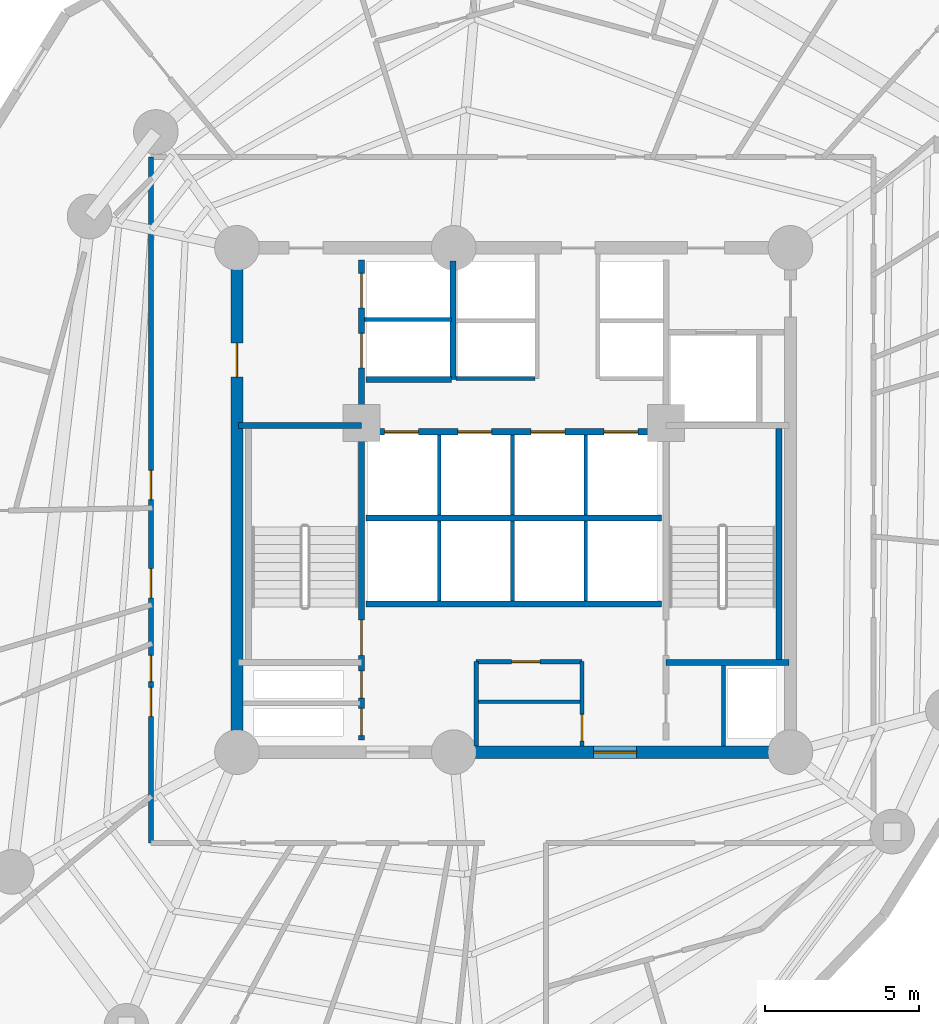
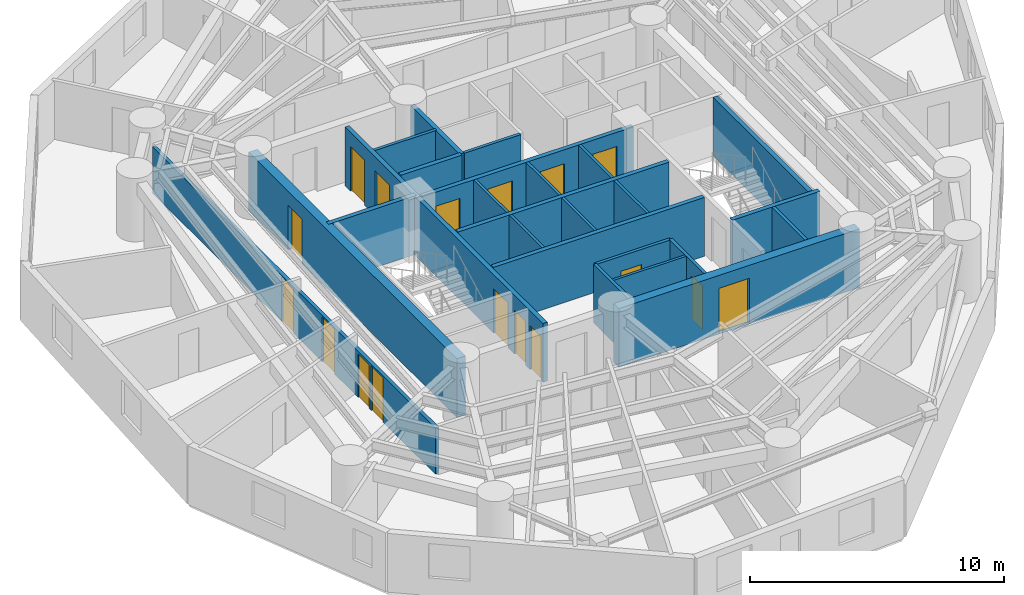
# One storey, part 4 of 8: 25 walls, 17 doors, 17 openings.
"""IFC4 building model written with IfcOpenShell, lengths in metres."""

import ifcopenshell
import ifcopenshell.guid

model = None  # the IFC model being written
_history = None  # IfcOwnerHistory: only IFC2X3 demands one
_inside = {}  # id of a spatial element -> (the spatial element, [elements in it])
_under = {}  # id of a project, library or spatial element -> (it, [spatial elements below it])
_declared = {}  # id of a project -> (the project, [libraries it declares])
_typed = {}  # id of a type object -> (the type object, [elements of that type])
_made_of = {}  # id of a material, layer set ... -> (it, [elements and type objects made of it])


def new_model(schema):
    """Start an empty IFC model of exactly this schema.

    Asked for "IFC4X3", IfcOpenShell would pick the latest addendum, in which some entities
    have other attributes; the version numbers below select the first issue.
    IFC2X3 requires an IfcOwnerHistory on every rooted entity: one is made here for all.
    """
    global model, _history
    if schema == "IFC4X3":
        model = ifcopenshell.file(schema_version=(4, 3, 0, 0))
    else:
        model = ifcopenshell.file(schema=schema)
    _inside.clear()
    _under.clear()
    _declared.clear()
    _typed.clear()
    _made_of.clear()
    _history = None
    if model.schema == "IFC2X3":
        org = make("IfcOrganization", Name="unknown")
        user = make(
            "IfcPersonAndOrganization",
            ThePerson=make("IfcPerson", FamilyName="unknown"),
            TheOrganization=org,
        )
        app = make(
            "IfcApplication",
            ApplicationDeveloper=org,
            Version="unknown",
            ApplicationFullName="unknown",
            ApplicationIdentifier="unknown",
        )
        _history = make(
            "IfcOwnerHistory",
            OwningUser=user,
            OwningApplication=app,
            ChangeAction="ADDED",
            CreationDate=0,
        )
    return model


def make(cls, **values):
    """One entity of the class cls with the attributes given. An attribute that is None is left unset."""
    return model.create_entity(
        cls, **{name: value for name, value in values.items() if value is not None}
    )


def rooted(cls, **values):
    """An entity with a GlobalId (a new one), such as an element, a storey or a relation."""
    return make(cls, GlobalId=ifcopenshell.guid.new(), OwnerHistory=_history, **values)


def si_unit(unit_type, name, prefix=None):
    """IfcSIUnit, for example si_unit("LENGTHUNIT", "METRE", prefix="MILLI")."""
    return make("IfcSIUnit", UnitType=unit_type, Prefix=prefix, Name=name)


def assignment(units):
    """IfcUnitAssignment: the units of a project."""
    return None if units is None else make("IfcUnitAssignment", Units=units)


def point(xyz):
    """IfcCartesianPoint."""
    return None if xyz is None else make("IfcCartesianPoint", Coordinates=xyz)


def direction(xyz):
    """IfcDirection."""
    return None if xyz is None else make("IfcDirection", DirectionRatios=xyz)


def frame(location, z_axis=None, x_axis=None):
    """IfcAxis2Placement3D, a coordinate frame: its origin and axes. An axis left out is left unset."""
    return make(
        "IfcAxis2Placement3D",
        Location=point(location),
        Axis=direction(z_axis),
        RefDirection=direction(x_axis),
    )


def frame_2d(location, x_axis=None):
    """IfcAxis2Placement2D, a coordinate frame in the plane: its origin and x axis."""
    return make(
        "IfcAxis2Placement2D", Location=point(location), RefDirection=direction(x_axis)
    )


def origin():
    """The frame at (0, 0, 0) with its axes left unset."""
    return frame((0.0, 0.0, 0.0))


def origin_with_axes():
    """The frame at (0, 0, 0) with the z axis (0, 0, 1) and the x axis (1, 0, 0) written out."""
    return frame((0.0, 0.0, 0.0), z_axis=(0.0, 0.0, 1.0), x_axis=(1.0, 0.0, 0.0))


def place(relative_to, where):
    """IfcLocalPlacement: puts the frame where relative to a parent placement (None: the world)."""
    return make(
        "IfcLocalPlacement", PlacementRelTo=relative_to, RelativePlacement=where
    )


def context(
    kind, dimensions, precision=None, world=None, true_north=None, identifier=None
):
    """IfcGeometricRepresentationContext, for example the 3D "Model" context."""
    return make(
        "IfcGeometricRepresentationContext",
        ContextIdentifier=identifier,
        ContextType=kind,
        CoordinateSpaceDimension=dimensions,
        Precision=precision,
        WorldCoordinateSystem=world,
        TrueNorth=true_north,
    )


def subcontext(parent, identifier, kind, view, scale=None):
    """IfcGeometricRepresentationSubContext, for example "Body" below "Model"."""
    return make(
        "IfcGeometricRepresentationSubContext",
        ContextIdentifier=identifier,
        ContextType=kind,
        ParentContext=parent,
        TargetScale=scale,
        TargetView=view,
    )


def project(units=None, contexts=None):
    """IfcProject with its units and contexts."""
    return rooted(
        "IfcProject",
        Name="project",
        RepresentationContexts=contexts,
        UnitsInContext=assignment(units),
    )


def spatial(cls, under=None, at=None, **own):
    """A site, building, storey or space (cls), placed at a placement, below another one or the project."""
    s = rooted(cls, ObjectPlacement=at, **own)
    if under is not None:
        _under.setdefault(under.id(), (under, []))[1].append(s)
    return s


def profile(cls, at=None, kind="AREA", **sizes):
    """A parametric profile (cls). Its sizes go by their IFC names, for example OverallWidth=200.0."""
    return make(cls, ProfileType=kind, Position=at, **sizes)


def rectangle(**sizes):
    """IfcRectangleProfileDef."""
    return profile("IfcRectangleProfileDef", **sizes)


def extrude(swept, where, along, depth):
    """IfcExtrudedAreaSolid: the profile swept, set in the frame where, extruded along a direction by depth."""
    return make(
        "IfcExtrudedAreaSolid",
        SweptArea=swept,
        Position=where,
        ExtrudedDirection=direction(along),
        Depth=depth,
    )


def shape(context_of_items, identifier, shape_type, items):
    """IfcShapeRepresentation: the items that make up one representation, for example the "Body"."""
    return make(
        "IfcShapeRepresentation",
        ContextOfItems=context_of_items,
        RepresentationIdentifier=identifier,
        RepresentationType=shape_type,
        Items=items,
    )


def source(mapping_origin, context_of_items, identifier, shape_type, items):
    """IfcRepresentationMap: a shape defined once, which mapped items show again and again."""
    return make(
        "IfcRepresentationMap",
        MappingOrigin=mapping_origin,
        MappedRepresentation=shape(context_of_items, identifier, shape_type, items),
    )


def transform(
    local_origin,
    x_axis=None,
    y_axis=None,
    z_axis=None,
    scale=None,
    scale2=None,
    scale3=None,
    uniform=True,
):
    """IfcCartesianTransformationOperator3D, or its non-uniform kind. x_axis, y_axis, z_axis: its Axis1, 2, 3."""
    if uniform:
        return make(
            "IfcCartesianTransformationOperator3D",
            Axis1=direction(x_axis),
            Axis2=direction(y_axis),
            LocalOrigin=point(local_origin),
            Scale=scale,
            Axis3=direction(z_axis),
        )
    return make(
        "IfcCartesianTransformationOperator3DnonUniform",
        Axis1=direction(x_axis),
        Axis2=direction(y_axis),
        LocalOrigin=point(local_origin),
        Scale=scale,
        Axis3=direction(z_axis),
        Scale2=scale2,
        Scale3=scale3,
    )


def mapped(mapping_source, mapping_target):
    """IfcMappedItem: shows the shape of a source again, moved by a transform."""
    return make(
        "IfcMappedItem", MappingSource=mapping_source, MappingTarget=mapping_target
    )


def material(Name=None, Category=None):
    """IfcMaterial."""
    return make("IfcMaterial", Name=Name, Category=Category)


def layer(
    of_material, thickness, ventilated=None, Name=None, Category=None, Priority=None
):
    """IfcMaterialLayer: one layer of a wall or slab, of a material (None: an air gap)."""
    return make(
        "IfcMaterialLayer",
        Material=of_material,
        LayerThickness=thickness,
        IsVentilated=ventilated,
        Name=Name,
        Category=Category,
        Priority=Priority,
    )


def layer_set(layers, Name=None):
    """IfcMaterialLayerSet."""
    return make("IfcMaterialLayerSet", MaterialLayers=layers, LayerSetName=Name)


def made_of(thing, what):
    """Note that an element or type object is made of a material, layer set ...; save() writes the relation."""
    if what is not None:
        _made_of.setdefault(what.id(), (what, []))[1].append(thing)
    return thing


def type_object(cls, material=None, **own):
    """A type object (cls), such as IfcWallType, which elements share."""
    return made_of(rooted(cls, **own), material)


def element(
    cls,
    number,
    at=None,
    inside=None,
    cuts=None,
    type_object=None,
    material=None,
    context=None,
    identifier="Body",
    shape_type=None,
    held_by="IfcProductDefinitionShape",
    body=None,
    shapes=None,
    **own,
):
    """One element of the class cls, such as IfcWall. Its Tag is "e" and its number.

    at: its placement. inside: the storey or other place that contains it. cuts: it is an
    opening in that element (IfcRelVoidsElement). A single representation is given by context,
    identifier, shape_type and body (its items); several are given by shapes. held_by: the class
    of the entity that holds the representations. save() writes the other relations.
    """
    e = rooted(cls, Tag="e%d" % number, ObjectPlacement=at, **own)
    if body is not None:
        shapes = [shape(context, identifier, shape_type, body)]
    if shapes is not None:
        e.Representation = make(held_by, Representations=shapes)
    if inside is not None:
        _inside.setdefault(inside.id(), (inside, []))[1].append(e)
    if cuts is not None:
        rooted(
            "IfcRelVoidsElement", RelatingBuildingElement=cuts, RelatedOpeningElement=e
        )
    if type_object is not None:
        _typed.setdefault(type_object.id(), (type_object, []))[1].append(e)
    return made_of(e, material)


def fill(opening, filler):
    """IfcRelFillsElement: the door or window that sits in an opening."""
    return rooted(
        "IfcRelFillsElement",
        RelatingOpeningElement=opening,
        RelatedBuildingElement=filler,
    )


def aggregate(whole, parts):
    """IfcRelAggregates: a whole, such as a stair, and the parts it consists of."""
    return rooted("IfcRelAggregates", RelatingObject=whole, RelatedObjects=parts)


def save(model, path):
    """Write the relations noted so far, then the file.

    IfcRelAggregates (storeys below a building ...), IfcRelContainedInSpatialStructure (elements
    in a storey), IfcRelDefinesByType, IfcRelAssociatesMaterial and IfcRelDeclares: one each for
    every whole, place, type object, material and project.
    """
    for whole, parts in _under.values():
        aggregate(whole, parts)
    for where, things in _inside.values():
        rooted(
            "IfcRelContainedInSpatialStructure",
            RelatedElements=things,
            RelatingStructure=where,
        )
    for kind, things in _typed.values():
        rooted("IfcRelDefinesByType", RelatedObjects=things, RelatingType=kind)
    for what, things in _made_of.values():
        rooted("IfcRelAssociatesMaterial", RelatedObjects=things, RelatingMaterial=what)
    for by, libraries in _declared.values():
        rooted("IfcRelDeclares", RelatingContext=by, RelatedDefinitions=libraries)
    model.write(path)


model = new_model("IFC4")

# Units and contexts
model_context = context("Model", 3, precision=1e-05, world=origin(), true_north=direction((0.0, 1.0)))
body_context = subcontext(model_context, "Body", "Model", "MODEL_VIEW")
ifc_project = project(units=[si_unit("LENGTHUNIT", "METRE"), si_unit("AREAUNIT", "SQUARE_METRE"), si_unit("VOLUMEUNIT", "CUBIC_METRE"), si_unit("PLANEANGLEUNIT", "RADIAN"), si_unit("MASSUNIT", "GRAM", prefix="KILO")], contexts=[model_context])

# Site, building, storey
site_placement = place(None, origin())
site = spatial("IfcSite", under=ifc_project, at=site_placement, CompositionType="ELEMENT")
building_placement = place(site_placement, origin())
building = spatial("IfcBuilding", under=site, at=building_placement, Name="Karkom Vertical University and Central Library", CompositionType="ELEMENT")
storey_placement = place(building_placement, frame((0.0, 0.0, 108.39990234375)))
storey = spatial("IfcBuildingStorey", under=building, at=storey_placement, Name="L29", CompositionType="ELEMENT", Elevation=108.39990234375)

# Wall, openings, doors
ifc_material_1 = material(Name="Insulated metal-stud drywall 160mm", Category="gypsum")
ifc_layer_1 = layer(ifc_material_1, 0.159912109375)
ifc_layer_set_1 = layer_set([ifc_layer_1], Name="Insulated metal-stud drywall 160mm")
wall_type_1 = type_object("IfcWallType", Name="INT-WL-COR-160", PredefinedType="PARTITIONING", material=ifc_layer_set_1)
wall_1_placement = place(storey_placement, frame((16.699951171875, 15.35009765625, 0.0), z_axis=(0.0, 0.0, 1.0), x_axis=(0.0, 1.0, 0.0)))
wall_1 = element("IfcWall", 1, at=wall_1_placement, inside=storey, type_object=wall_type_1, Name="Level 29 Interior Partition Wall L29-CORW-CW-002", PredefinedType="PARTITIONING", context=body_context, shape_type="SweptSolid", body=[
    extrude(rectangle(XDim=22.2998046875, YDim=0.159912109375, at=frame_2d((11.14990234375, 0.0))), origin(), (0.0, 0.0, 1.0), 2.22509765625),
])
opening_1_placement = place(wall_1_placement, frame((7.969970703125, 0.0, 0.0)))
opening_1 = element("IfcOpeningElement", 2, at=opening_1_placement, cuts=wall_1, Name="Opening D-RM1", PredefinedType="OPENING", context=body_context, shape_type="SweptSolid", body=[
    extrude(rectangle(XDim=0.949951171875, YDim=2.14990234375, at=frame_2d((0.47509765625, 1.074951171875))), frame((0.0, 0.08984375, 0.0), z_axis=(0.0, -1.0, 0.0), x_axis=(1.0, 0.0, 0.0)), (0.0, 0.0, 1.0), 0.179931640625),
])
opening_2_placement = place(wall_1_placement, frame((5.239501953125, 0.0, 0.0)))
opening_2 = element("IfcOpeningElement", 3, at=opening_2_placement, cuts=wall_1, Name="Opening FD-BTH1", PredefinedType="OPENING", context=body_context, shape_type="SweptSolid", body=[
    extrude(rectangle(XDim=0.860107421875, YDim=2.10009765625, at=frame_2d((0.43017578125, 1.050048828125))), frame((0.0, 0.08984375, 0.0), z_axis=(0.0, -1.0, 0.0), x_axis=(1.0, 0.0, 0.0)), (0.0, 0.0, 1.0), 0.179931640625),
])
opening_3_placement = place(wall_1_placement, frame((4.110107421875, 0.0, 0.0)))
opening_3 = element("IfcOpeningElement", 4, at=opening_3_placement, cuts=wall_1, Name="Opening D-RM1", PredefinedType="OPENING", context=body_context, shape_type="SweptSolid", body=[
    extrude(rectangle(XDim=0.949951171875, YDim=2.14990234375, at=frame_2d((0.47509765625, 1.074951171875))), frame((0.0, 0.08984375, 0.0), z_axis=(0.0, -1.0, 0.0), x_axis=(1.0, 0.0, 0.0)), (0.0, 0.0, 1.0), 0.179931640625),
])
opening_4_placement = place(wall_1_placement, frame((11.1650390625, 0.0, 0.0)))
opening_4 = element("IfcOpeningElement", 5, at=opening_4_placement, cuts=wall_1, Name="Opening D-RM1", PredefinedType="OPENING", context=body_context, shape_type="SweptSolid", body=[
    extrude(rectangle(XDim=0.949951171875, YDim=2.14990234375, at=frame_2d((0.47509765625, 1.074951171875))), frame((0.0, 0.08984375, 0.0), z_axis=(0.0, -1.0, 0.0), x_axis=(1.0, 0.0, 0.0)), (0.0, 0.0, 1.0), 0.179931640625),
])
ifc_material_2 = material(Name="Fire-rated moisture-resistant oak door", Category="wood")
door_type_1 = type_object("IfcDoorType", Name="INT-DR-FBTH1", OperationType="NOTDEFINED", PredefinedType="DOOR", material=ifc_material_2)
shared_shape_1 = source(origin_with_axes(), body_context, "Body", "SweptSolid", [
    extrude(rectangle(XDim=0.860107421875, YDim=2.10009765625, at=frame_2d((0.43017578125, 1.050048828125))), frame((0.0, 0.02490234375, 0.0), z_axis=(0.0, -1.0, 0.0), x_axis=(1.0, 0.0, 0.0)), (0.0, 0.0, 1.0), 0.050048828125),
])
door_1_placement = place(opening_2_placement, origin())
door_1 = element("IfcDoor", 6, at=door_1_placement, inside=storey, type_object=door_type_1, Name="Level 29 Room Entry Door 010", OperationType="SINGLE_SWING_RIGHT", OverallHeight=2.10009765625, OverallWidth=0.860107421875, PredefinedType="DOOR", context=body_context, shape_type="MappedRepresentation", body=[
    mapped(shared_shape_1, transform((0.0, 0.0, 0.0), scale=1.0)),
])
fill(opening_2, door_1)
ifc_material_3 = material(Name="Solid-core oak veneer door", Category="wood")
door_type_2 = type_object("IfcDoorType", Name="INT-DR-RM1", OperationType="NOTDEFINED", PredefinedType="DOOR", material=ifc_material_3)
shared_shape_2 = source(origin_with_axes(), body_context, "Body", "SweptSolid", [
    extrude(rectangle(XDim=0.949951171875, YDim=2.14990234375, at=frame_2d((0.47509765625, 1.074951171875))), frame((0.0, 0.02490234375, 0.0), z_axis=(0.0, -1.0, 0.0), x_axis=(1.0, 0.0, 0.0)), (0.0, 0.0, 1.0), 0.050048828125),
])
door_2_placement = place(opening_1_placement, origin())
door_2 = element("IfcDoor", 7, at=door_2_placement, inside=storey, type_object=door_type_2, Name="Level 29 Room Entry Door 000", OperationType="SINGLE_SWING_LEFT", OverallHeight=2.14990234375, OverallWidth=0.949951171875, PredefinedType="DOOR", context=body_context, shape_type="MappedRepresentation", body=[
    mapped(shared_shape_2, transform((0.0, 0.0, 0.0), scale=1.0)),
])
fill(opening_1, door_2)
door_3_placement = place(opening_3_placement, origin())
door_3 = element("IfcDoor", 8, at=door_3_placement, inside=storey, type_object=door_type_2, Name="Level 29 Room Entry Door 020", OperationType="SINGLE_SWING_LEFT", OverallHeight=2.14990234375, OverallWidth=0.949951171875, PredefinedType="DOOR", context=body_context, shape_type="MappedRepresentation", body=[
    mapped(shared_shape_2, transform((0.0, 0.0, 0.0), scale=1.0)),
])
fill(opening_3, door_3)
door_4_placement = place(opening_4_placement, origin())
door_4 = element("IfcDoor", 9, at=door_4_placement, inside=storey, type_object=door_type_2, Name="Level 29 Room Entry Door 260", OperationType="SINGLE_SWING_LEFT", OverallHeight=2.14990234375, OverallWidth=0.949951171875, PredefinedType="DOOR", context=body_context, shape_type="MappedRepresentation", body=[
    mapped(shared_shape_2, transform((0.0, 0.0, 0.0), scale=1.0)),
])
fill(opening_4, door_4)

# Walls
ifc_material_4 = material(Name="Moisture-resistant drywall 120mm", Category="gypsum")
ifc_layer_2 = layer(ifc_material_4, 0.1201171875)
ifc_layer_set_2 = layer_set([ifc_layer_2], Name="Moisture-resistant drywall 120mm")
wall_type_2 = type_object("IfcWallType", Name="INT-WL-INT-120", PredefinedType="PARTITIONING", material=ifc_layer_set_2)
wall_2_placement = place(storey_placement, frame((27.280029296875, 19.93994140625, 0.0), z_axis=(0.0, 0.0, 1.0), x_axis=(1.0, 0.0, 0.0)))
element("IfcWall", 10, at=wall_2_placement, inside=storey, type_object=wall_type_2, Name="Level 29 Interior Partition Wall L29-CW-K4-DIV", PredefinedType="PARTITIONING", context=body_context, shape_type="SweptSolid", body=[
    extrude(rectangle(XDim=3.43994140625, YDim=0.1201171875, at=frame_2d((1.719970703125, 0.0))), origin(), (0.0, 0.0, 1.0), 2.8251953125),
])
ifc_layer_3 = layer(ifc_material_4, 0.1201171875)
ifc_layer_set_3 = layer_set([ifc_layer_3], Name="Moisture-resistant drywall 120mm")
wall_type_3 = type_object("IfcWallType", Name="INT-WL-INT-120H", PredefinedType="PARTITIONING", material=ifc_layer_set_3)
for number, where, z_axis, x_axis, name in (
    (11, (26.080078125, 23.219970703125, 0.0), (0.0, 0.0, 1.0), (0.0, 1.0, 0.0), "Level 29 Interior Partition Wall L29-CW-PL-DIV1"),
    (12, (28.4599609375, 23.219970703125, 0.0), (0.0, 0.0, 1.0), (0.0, 1.0, 0.0), "Level 29 Interior Partition Wall L29-CW-PL-DIV2"),
    (13, (30.840087890625, 23.219970703125, 0.0), (0.0, 0.0, 1.0), (0.0, 1.0, 0.0), "Level 29 Interior Partition Wall L29-CW-PL-DIV3"),
    (14, (26.080078125, 26.02001953125, 0.0), (0.0, 0.0, 1.0), (0.0, 1.0, 0.0), "Level 29 Interior Partition Wall L29-CW-PM-DIV1"),
    (15, (28.4599609375, 26.02001953125, 0.0), (0.0, 0.0, 1.0), (0.0, 1.0, 0.0), "Level 29 Interior Partition Wall L29-CW-PM-DIV2"),
    (16, (30.840087890625, 26.02001953125, 0.0), (0.0, 0.0, 1.0), (0.0, 1.0, 0.0), "Level 29 Interior Partition Wall L29-CW-PM-DIV3"),
):
    element("IfcWall", number, at=place(storey_placement, frame(where, z_axis=z_axis, x_axis=x_axis)), inside=storey, type_object=wall_type_3, Name=name, PredefinedType="PARTITIONING", context=body_context, shape_type="SweptSolid", body=[
        extrude(rectangle(XDim=2.60009765625, YDim=0.1201171875, at=frame_2d((1.300048828125, 0.0))), origin(), (0.0, 0.0, 1.0), 2.8251953125),
    ])

# Wall, opening, door
ifc_material_5 = material(Name="Metal-stud gypsum partition 140mm", Category="gypsum")
ifc_layer_4 = layer(ifc_material_5, 0.139892578125)
ifc_layer_set_4 = layer_set([ifc_layer_4], Name="Metal-stud gypsum partition 140mm")
wall_type_4 = type_object("IfcWallType", Name="INT-WL-SUB-140", PredefinedType="PARTITIONING", material=ifc_layer_set_4)
wall_3_placement = place(storey_placement, frame((27.280029296875, 21.239990234375, 0.0), z_axis=(0.0, 0.0, 1.0), x_axis=(1.0, 0.0, 0.0)))
wall_3 = element("IfcWall", 17, at=wall_3_placement, inside=storey, type_object=wall_type_4, Name="Level 29 Interior Partition Wall L29-CW-KBAY-N", PredefinedType="PARTITIONING", context=body_context, shape_type="SweptSolid", body=[
    extrude(rectangle(XDim=3.43994140625, YDim=0.139892578125, at=frame_2d((1.719970703125, 0.0))), origin(), (0.0, 0.0, 1.0), 2.8251953125),
])
opening_5_placement = place(wall_3_placement, frame((1.14990234375, 0.0, 0.0)))
opening_5 = element("IfcOpeningElement", 18, at=opening_5_placement, cuts=wall_3, Name="Opening D-SVC1", PredefinedType="OPENING", context=body_context, shape_type="SweptSolid", body=[
    extrude(rectangle(XDim=0.919921875, YDim=2.10009765625, at=frame_2d((0.4599609375, 1.050048828125))), frame((0.0, 0.080078125, 0.0), z_axis=(0.0, -1.0, 0.0), x_axis=(1.0, 0.0, 0.0)), (0.0, 0.0, 1.0), 0.159912109375),
])
ifc_material_6 = material(Name="Painted timber service door", Category="wood")
door_type_3 = type_object("IfcDoorType", Name="INT-DR-SVC1", OperationType="NOTDEFINED", PredefinedType="DOOR", material=ifc_material_6)
shared_shape_3 = source(origin_with_axes(), body_context, "Body", "SweptSolid", [
    extrude(rectangle(XDim=0.919921875, YDim=2.10009765625, at=frame_2d((0.4599609375, 1.050048828125))), frame((0.0, 0.02490234375, 0.0), z_axis=(0.0, -1.0, 0.0), x_axis=(1.0, 0.0, 0.0)), (0.0, 0.0, 1.0), 0.050048828125),
])
door_5_placement = place(opening_5_placement, origin())
door_5 = element("IfcDoor", 19, at=door_5_placement, inside=storey, type_object=door_type_3, Name="Level 29 Valve Cupboard Door", OperationType="SINGLE_SWING_LEFT", OverallHeight=2.10009765625, OverallWidth=0.919921875, PredefinedType="DOOR", context=body_context, shape_type="MappedRepresentation", body=[
    mapped(shared_shape_3, transform((0.0, 0.0, 0.0), scale=1.0)),
])
fill(opening_5, door_5)

# Wall
wall_4_placement = place(storey_placement, frame((27.280029296875, 18.507080078125, 0.0), z_axis=(0.0, 0.0, 1.0), x_axis=(0.0, 1.0, 0.0)))
element("IfcWall", 20, at=wall_4_placement, inside=storey, type_object=wall_type_4, Name="Level 29 Interior Partition Wall L29-CW-KBAY-W", PredefinedType="PARTITIONING", context=body_context, shape_type="SweptSolid", body=[
    extrude(rectangle(XDim=2.73291015625, YDim=0.139892578125, at=frame_2d((1.366455078125, 0.0))), origin(), (0.0, 0.0, 1.0), 2.8251953125),
])

# Wall, opening, door
wall_5_placement = place(storey_placement, frame((30.719970703125, 18.507080078125, 0.0), z_axis=(0.0, 0.0, 1.0), x_axis=(0.0, 1.0, 0.0)))
wall_5 = element("IfcWall", 21, at=wall_5_placement, inside=storey, type_object=wall_type_4, Name="Level 29 Interior Partition Wall L29-CW-KBAY-E", PredefinedType="PARTITIONING", context=body_context, shape_type="SweptSolid", body=[
    extrude(rectangle(XDim=2.73291015625, YDim=0.139892578125, at=frame_2d((1.366455078125, 0.0))), origin(), (0.0, 0.0, 1.0), 2.8251953125),
])
opening_6_placement = place(wall_5_placement, frame((0.159912109375, 0.0, 0.0)))
opening_6 = element("IfcOpeningElement", 22, at=opening_6_placement, cuts=wall_5, Name="Opening FD-BTH1", PredefinedType="OPENING", context=body_context, shape_type="SweptSolid", body=[
    extrude(rectangle(XDim=0.860107421875, YDim=2.10009765625, at=frame_2d((0.43017578125, 1.050048828125))), frame((0.0, 0.080078125, 0.0), z_axis=(0.0, -1.0, 0.0), x_axis=(1.0, 0.0, 0.0)), (0.0, 0.0, 1.0), 0.159912109375),
])
door_6_placement = place(opening_6_placement, origin())
door_6 = element("IfcDoor", 23, at=door_6_placement, inside=storey, type_object=door_type_1, Name="Level 29 Metering Cupboard Door", OperationType="SINGLE_SWING_RIGHT", OverallHeight=2.10009765625, OverallWidth=0.860107421875, PredefinedType="DOOR", context=body_context, shape_type="MappedRepresentation", body=[
    mapped(shared_shape_1, transform((0.0, 0.0, 0.0), scale=1.0)),
])
fill(opening_6, door_6)

# Walls
ifc_layer_5 = layer(ifc_material_5, 0.139892578125)
ifc_layer_set_5 = layer_set([ifc_layer_5], Name="Metal-stud gypsum partition 140mm")
wall_type_5 = type_object("IfcWallType", Name="INT-WL-SUB-140H", PredefinedType="PARTITIONING", material=ifc_layer_set_5)
wall_6_placement = place(storey_placement, frame((26.6201171875, 30.449951171875, 0.0), z_axis=(0.0, 0.0, 1.0), x_axis=(1.0, 0.0, 0.0)))
element("IfcWall", 24, at=wall_6_placement, inside=storey, type_object=wall_type_5, Name="Level 29 Interior Partition Wall L29-CW-PH-S1", PredefinedType="PARTITIONING", context=body_context, shape_type="SweptSolid", body=[
    extrude(rectangle(XDim=2.579833984375, YDim=0.139892578125, at=frame_2d((1.2900390625, 0.0))), origin(), (0.0, 0.0, 1.0), 2.8251953125),
])
wall_7_placement = place(storey_placement, frame((35.320068359375, 18.507080078125, 0.0), z_axis=(0.0, 0.0, 1.0), x_axis=(0.0, 1.0, 0.0)))
element("IfcWall", 25, at=wall_7_placement, inside=storey, type_object=wall_type_5, Name="Level 29 Interior Partition Wall L29-CW-RIS-E", PredefinedType="PARTITIONING", context=body_context, shape_type="SweptSolid", body=[
    extrude(rectangle(XDim=2.603759765625, YDim=0.139892578125, at=frame_2d((1.3017578125, 0.0))), origin(), (0.0, 0.0, 1.0), 2.8251953125),
])
ifc_layer_6 = layer(ifc_material_5, 0.139892578125)
ifc_layer_set_6 = layer_set([ifc_layer_6], Name="Metal-stud gypsum partition 140mm")
wall_type_6 = type_object("IfcWallType", Name="INT-WL-SUB-140X", PredefinedType="PARTITIONING", material=ifc_layer_set_6)
wall_8_placement = place(storey_placement, frame((23.652099609375, 32.3701171875, 0.0), z_axis=(0.0, 0.0, 1.0), x_axis=(1.0, 0.0, 0.0)))
element("IfcWall", 26, at=wall_8_placement, inside=storey, type_object=wall_type_6, Name="Level 29 Interior Partition Wall L29-CW-FFL-M", PredefinedType="PARTITIONING", context=body_context, shape_type="SweptSolid", body=[
    extrude(rectangle(XDim=2.827880859375, YDim=0.139892578125, at=frame_2d((1.4140625, 0.0))), origin(), (0.0, 0.0, 1.0), 2.8251953125),
])

# Wall, opening, door
ifc_material_7 = material(Name="Concrete C50/60", Category="concrete")
ifc_layer_7 = layer(ifc_material_7, 0.39990234375)
ifc_layer_set_7 = layer_set([ifc_layer_7], Name="Concrete C50/60")
wall_type_7 = type_object("IfcWallType", Name="STR-WL-CW-400", PredefinedType="SHEAR", material=ifc_layer_set_7)
wall_9_placement = place(storey_placement, frame((26.550048828125, 18.300048828125, 0.0), z_axis=(0.0, 0.0, 1.0), x_axis=(1.0, 0.0, 0.0)))
wall_9 = element("IfcWall", 27, at=wall_9_placement, inside=storey, type_object=wall_type_7, Name="Level 29 Central Core Shear Wall SW2", PredefinedType="SHEAR", context=body_context, shape_type="SweptSolid", body=[
    extrude(rectangle(XDim=10.949951171875, YDim=0.39990234375, at=frame_2d((5.47509765625, 0.0))), origin(), (0.0, 0.0, 1.0), 2.8251953125),
])
opening_7_placement = place(wall_9_placement, frame((4.550048828125, 0.0, 0.0)))
opening_7 = element("IfcOpeningElement", 28, at=opening_7_placement, cuts=wall_9, Name="Opening FD-CLB", PredefinedType="OPENING", context=body_context, shape_type="SweptSolid", body=[
    extrude(rectangle(XDim=1.39990234375, YDim=2.199951171875, at=frame_2d((0.699951171875, 1.10009765625))), frame((0.0, 0.2099609375, 0.0), z_axis=(0.0, -1.0, 0.0), x_axis=(1.0, 0.0, 0.0)), (0.0, 0.0, 1.0), 0.419921875),
])
ifc_material_8 = material(Name="Painted steel fire door", Category="steel")
door_type_4 = type_object("IfcDoorType", Name="INT-DR-CLB", OperationType="DOUBLE_DOOR_SINGLE_SWING", PredefinedType="DOOR", material=ifc_material_8)
shared_shape_4 = source(origin_with_axes(), body_context, "Body", "SweptSolid", [
    extrude(rectangle(XDim=1.39990234375, YDim=2.199951171875, at=frame_2d((0.699951171875, 1.10009765625))), frame((0.0, 0.02490234375, 0.0), z_axis=(0.0, -1.0, 0.0), x_axis=(1.0, 0.0, 0.0)), (0.0, 0.0, 1.0), 0.050048828125),
])
door_7_placement = place(opening_7_placement, origin())
door_7 = element("IfcDoor", 29, at=door_7_placement, inside=storey, type_object=door_type_4, Name="Level 29 South Core Lobby East Exit Door", OperationType="DOUBLE_DOOR_SINGLE_SWING", OverallHeight=2.199951171875, OverallWidth=1.39990234375, PredefinedType="DOOR", context=body_context, shape_type="MappedRepresentation", body=[
    mapped(shared_shape_4, transform((0.0, 0.0, 0.0), scale=1.0)),
])
fill(opening_7, door_7)

wall_10_placement = place(storey_placement, frame((19.5, 34.699951171875, 0.0), z_axis=(0.0, 0.0, 1.0), x_axis=(0.0, -1.0, 0.0)))
wall_10 = element("IfcWall", 30, at=wall_10_placement, inside=storey, type_object=wall_type_7, Name="Level 29 Central Core Shear Wall WW", PredefinedType="SHEAR", context=body_context, shape_type="SweptSolid", body=[
    extrude(rectangle(XDim=16.39990234375, YDim=0.39990234375, at=frame_2d((8.199951171875, 0.0))), origin(), (0.0, 0.0, 1.0), 2.8251953125),
])
opening_8_placement = place(wall_10_placement, frame((3.10009765625, 0.0, 0.0)))
opening_8 = element("IfcOpeningElement", 31, at=opening_8_placement, cuts=wall_10, Name="Opening FD-FFL", PredefinedType="OPENING", context=body_context, shape_type="SweptSolid", body=[
    extrude(rectangle(XDim=1.10009765625, YDim=2.14990234375, at=frame_2d((0.550048828125, 1.074951171875))), frame((0.0, 0.2099609375, 0.0), z_axis=(0.0, -1.0, 0.0), x_axis=(1.0, 0.0, 0.0)), (0.0, 0.0, 1.0), 0.419921875),
])
ifc_material_9 = material(Name="Painted steel smoke-seal fire door", Category="steel")
door_type_5 = type_object("IfcDoorType", Name="INT-DR-FFL", OperationType="NOTDEFINED", PredefinedType="DOOR", material=ifc_material_9)
shared_shape_5 = source(origin_with_axes(), body_context, "Body", "SweptSolid", [
    extrude(rectangle(XDim=1.10009765625, YDim=2.14990234375, at=frame_2d((0.550048828125, 1.074951171875))), frame((0.0, 0.02490234375, 0.0), z_axis=(0.0, -1.0, 0.0), x_axis=(1.0, 0.0, 0.0)), (0.0, 0.0, 1.0), 0.050048828125),
])
door_8_placement = place(opening_8_placement, origin())
door_8 = element("IfcDoor", 32, at=door_8_placement, inside=storey, type_object=door_type_5, Name="Level 29 West Corridor Firefighting Lobby Door", OperationType="SINGLE_SWING_RIGHT", OverallHeight=2.14990234375, OverallWidth=1.10009765625, PredefinedType="DOOR", context=body_context, shape_type="MappedRepresentation", body=[
    mapped(shared_shape_5, transform((0.0, 0.0, 0.0), scale=1.0)),
])
fill(opening_8, door_8)

# Wall, openings, doors
ifc_material_10 = material(Name="Concrete C45/55", Category="concrete")
ifc_layer_8 = layer(ifc_material_10, 0.199951171875)
ifc_layer_set_8 = layer_set([ifc_layer_8], Name="Concrete C45/55")
wall_type_8 = type_object("IfcWallType", Name="STR-WL-ST-200", PredefinedType="SHEAR", material=ifc_layer_set_8)
wall_11_placement = place(storey_placement, frame((23.544921875, 18.699951171875, 0.0), z_axis=(0.0, 0.0, 1.0), x_axis=(0.0, 1.0, 0.0)))
wall_11 = element("IfcWall", 33, at=wall_11_placement, inside=storey, type_object=wall_type_8, Name="Level 29 Core Shaft Wall L29-CW-ST1-E", PredefinedType="SHEAR", context=body_context, shape_type="SweptSolid", body=[
    extrude(rectangle(XDim=15.60009765625, YDim=0.199951171875, at=frame_2d((7.800048828125, 0.0))), origin(), (0.0, 0.0, 1.0), 2.8251953125),
])
opening_9_placement = place(wall_11_placement, frame((2.75, 0.0, 0.0)))
opening_9 = element("IfcOpeningElement", 34, at=opening_9_placement, cuts=wall_11, Name="Opening FD-ST1", PredefinedType="OPENING", context=body_context, shape_type="SweptSolid", body=[
    extrude(rectangle(XDim=1.14990234375, YDim=2.14990234375, at=frame_2d((0.574951171875, 1.074951171875))), frame((0.0, 0.10986328125, 0.0), z_axis=(0.0, -1.0, 0.0), x_axis=(1.0, 0.0, 0.0)), (0.0, 0.0, 1.0), 0.219970703125),
])
opening_10_placement = place(wall_11_placement, frame((0.139892578125, 0.0, 0.0)))
opening_10 = element("IfcOpeningElement", 35, at=opening_10_placement, cuts=wall_11, Name="Opening FD-RIS", PredefinedType="OPENING", context=body_context, shape_type="SweptSolid", body=[
    extrude(rectangle(XDim=0.8798828125, YDim=2.10009765625, at=frame_2d((0.43994140625, 1.050048828125))), frame((0.0, 0.10986328125, 0.0), z_axis=(0.0, -1.0, 0.0), x_axis=(1.0, 0.0, 0.0)), (0.0, 0.0, 1.0), 0.219970703125),
])
opening_11_placement = place(wall_11_placement, frame((1.360107421875, 0.0, 0.0)))
opening_11 = element("IfcOpeningElement", 36, at=opening_11_placement, cuts=wall_11, Name="Opening FD-RIS", PredefinedType="OPENING", context=body_context, shape_type="SweptSolid", body=[
    extrude(rectangle(XDim=0.8798828125, YDim=2.10009765625, at=frame_2d((0.43994140625, 1.050048828125))), frame((0.0, 0.10986328125, 0.0), z_axis=(0.0, -1.0, 0.0), x_axis=(1.0, 0.0, 0.0)), (0.0, 0.0, 1.0), 0.219970703125),
])
opening_12_placement = place(wall_11_placement, frame((12.10009765625, 0.0, 0.0)))
opening_12 = element("IfcOpeningElement", 37, at=opening_12_placement, cuts=wall_11, Name="Opening LD-FFL", PredefinedType="OPENING", context=body_context, shape_type="SweptSolid", body=[
    extrude(rectangle(XDim=1.1201171875, YDim=2.14990234375, at=frame_2d((0.56005859375, 1.074951171875))), frame((0.0, 0.10986328125, 0.0), z_axis=(0.0, -1.0, 0.0), x_axis=(1.0, 0.0, 0.0)), (0.0, 0.0, 1.0), 0.219970703125),
])
opening_13_placement = place(wall_11_placement, frame((14.050048828125, 0.0, 0.0)))
opening_13 = element("IfcOpeningElement", 38, at=opening_13_placement, cuts=wall_11, Name="Opening LD-FFL", PredefinedType="OPENING", context=body_context, shape_type="SweptSolid", body=[
    extrude(rectangle(XDim=1.1201171875, YDim=2.14990234375, at=frame_2d((0.56005859375, 1.074951171875))), frame((0.0, 0.10986328125, 0.0), z_axis=(0.0, -1.0, 0.0), x_axis=(1.0, 0.0, 0.0)), (0.0, 0.0, 1.0), 0.219970703125),
])
ifc_material_11 = material(Name="Painted steel acoustic fire door", Category="steel")
door_type_6 = type_object("IfcDoorType", Name="INT-DR-ST1", OperationType="NOTDEFINED", PredefinedType="DOOR", material=ifc_material_11)
shared_shape_6 = source(origin_with_axes(), body_context, "Body", "SweptSolid", [
    extrude(rectangle(XDim=1.14990234375, YDim=2.14990234375, at=frame_2d((0.574951171875, 1.074951171875))), frame((0.0, 0.02490234375, 0.0), z_axis=(0.0, -1.0, 0.0), x_axis=(1.0, 0.0, 0.0)), (0.0, 0.0, 1.0), 0.050048828125),
])
door_9_placement = place(opening_9_placement, origin())
door_9 = element("IfcDoor", 39, at=door_9_placement, inside=storey, type_object=door_type_6, Name="Level 29 Stair ST-1 Fire Door", OperationType="SINGLE_SWING_LEFT", OverallHeight=2.14990234375, OverallWidth=1.14990234375, PredefinedType="DOOR", context=body_context, shape_type="MappedRepresentation", body=[
    mapped(shared_shape_6, transform((0.0, 0.0, 0.0), scale=1.0)),
])
fill(opening_9, door_9)
ifc_material_12 = material(Name="Painted steel riser access door", Category="steel")
door_type_7 = type_object("IfcDoorType", Name="INT-DR-RIS", OperationType="NOTDEFINED", PredefinedType="DOOR", material=ifc_material_12)
shared_shape_7 = source(origin_with_axes(), body_context, "Body", "SweptSolid", [
    extrude(rectangle(XDim=0.8798828125, YDim=2.10009765625, at=frame_2d((0.43994140625, 1.050048828125))), frame((0.0, 0.02490234375, 0.0), z_axis=(0.0, -1.0, 0.0), x_axis=(1.0, 0.0, 0.0)), (0.0, 0.0, 1.0), 0.050048828125),
])
door_10_placement = place(opening_10_placement, origin())
door_10 = element("IfcDoor", 40, at=door_10_placement, inside=storey, type_object=door_type_7, Name="Level 29 Electrical Riser Access Door", OperationType="SINGLE_SWING_LEFT", OverallHeight=2.10009765625, OverallWidth=0.8798828125, PredefinedType="DOOR", context=body_context, shape_type="MappedRepresentation", body=[
    mapped(shared_shape_7, transform((0.0, 0.0, 0.0), scale=1.0)),
])
fill(opening_10, door_10)
door_11_placement = place(opening_11_placement, origin())
door_11 = element("IfcDoor", 41, at=door_11_placement, inside=storey, type_object=door_type_7, Name="Level 29 Telecom Riser Access Door", OperationType="SINGLE_SWING_RIGHT", OverallHeight=2.10009765625, OverallWidth=0.8798828125, PredefinedType="DOOR", context=body_context, shape_type="MappedRepresentation", body=[
    mapped(shared_shape_7, transform((0.0, 0.0, 0.0), scale=1.0)),
])
fill(opening_11, door_11)
ifc_material_13 = material(Name="Fire-rated stainless-steel landing door", Category="steel")
door_type_8 = type_object("IfcDoorType", Name="INT-DR-LD-FFL", OperationType="SLIDING_TO_LEFT", PredefinedType="DOOR", material=ifc_material_13)
shared_shape_8 = source(origin_with_axes(), body_context, "Body", "SweptSolid", [
    extrude(rectangle(XDim=1.1201171875, YDim=2.14990234375, at=frame_2d((0.56005859375, 1.074951171875))), frame((0.0, 0.02490234375, 0.0), z_axis=(0.0, -1.0, 0.0), x_axis=(1.0, 0.0, 0.0)), (0.0, 0.0, 1.0), 0.050048828125),
])
door_12_placement = place(opening_12_placement, origin())
door_12 = element("IfcDoor", 42, at=door_12_placement, inside=storey, type_object=door_type_8, Name="Level 29 Firefighting Lift FFL-1 Landing Door", OperationType="SLIDING_TO_LEFT", OverallHeight=2.14990234375, OverallWidth=1.1201171875, PredefinedType="DOOR", context=body_context, shape_type="MappedRepresentation", body=[
    mapped(shared_shape_8, transform((0.0, 0.0, 0.0), scale=1.0)),
])
fill(opening_12, door_12)
door_13_placement = place(opening_13_placement, origin())
door_13 = element("IfcDoor", 43, at=door_13_placement, inside=storey, type_object=door_type_8, Name="Level 29 Firefighting Lift FFL-2 Landing Door", OperationType="SLIDING_TO_RIGHT", OverallHeight=2.14990234375, OverallWidth=1.1201171875, PredefinedType="DOOR", context=body_context, shape_type="MappedRepresentation", body=[
    mapped(shared_shape_8, transform((0.0, 0.0, 0.0), scale=1.0)),
])
fill(opening_13, door_13)

# Walls
for number, where, z_axis, x_axis, name in (
    (44, (23.699951171875, 23.1201171875, 0.0), (0.0, 0.0, 1.0), (1.0, 0.0, 0.0), "Level 29 Core Shaft Wall L29-CW-B1-S"),
    (45, (23.699951171875, 25.919921875, 0.0), (0.0, 0.0, 1.0), (1.0, 0.0, 0.0), "Level 29 Core Shaft Wall L29-CW-B1-N"),
):
    element("IfcWall", number, at=place(storey_placement, frame(where, z_axis=z_axis, x_axis=x_axis)), inside=storey, type_object=wall_type_8, Name=name, PredefinedType="SHEAR", context=body_context, shape_type="SweptSolid", body=[
        extrude(rectangle(XDim=9.60009765625, YDim=0.199951171875, at=frame_2d((4.800048828125, 0.0))), origin(), (0.0, 0.0, 1.0), 2.8251953125),
    ])

# Wall, openings, doors
wall_12_placement = place(storey_placement, frame((23.699951171875, 28.719970703125, 0.0), z_axis=(0.0, 0.0, 1.0), x_axis=(1.0, 0.0, 0.0)))
wall_12 = element("IfcWall", 46, at=wall_12_placement, inside=storey, type_object=wall_type_8, Name="Level 29 Core Shaft Wall L29-CW-B2-N", PredefinedType="SHEAR", context=body_context, shape_type="SweptSolid", body=[
    extrude(rectangle(XDim=9.60009765625, YDim=0.199951171875, at=frame_2d((4.800048828125, 0.0))), origin(), (0.0, 0.0, 1.0), 2.8251953125),
])
opening_14_placement = place(wall_12_placement, frame((0.60009765625, 0.0, 0.0)))
opening_14 = element("IfcOpeningElement", 47, at=opening_14_placement, cuts=wall_12, Name="Opening LD-PAX", PredefinedType="OPENING", context=body_context, shape_type="SweptSolid", body=[
    extrude(rectangle(XDim=1.10009765625, YDim=2.14990234375, at=frame_2d((0.550048828125, 1.074951171875))), frame((0.0, 0.10986328125, 0.0), z_axis=(0.0, -1.0, 0.0), x_axis=(1.0, 0.0, 0.0)), (0.0, 0.0, 1.0), 0.219970703125),
])
opening_15_placement = place(wall_12_placement, frame((2.97998046875, 0.0, 0.0)))
opening_15 = element("IfcOpeningElement", 48, at=opening_15_placement, cuts=wall_12, Name="Opening LD-PAX", PredefinedType="OPENING", context=body_context, shape_type="SweptSolid", body=[
    extrude(rectangle(XDim=1.10009765625, YDim=2.14990234375, at=frame_2d((0.550048828125, 1.074951171875))), frame((0.0, 0.10986328125, 0.0), z_axis=(0.0, -1.0, 0.0), x_axis=(1.0, 0.0, 0.0)), (0.0, 0.0, 1.0), 0.219970703125),
])
opening_16_placement = place(wall_12_placement, frame((5.360107421875, 0.0, 0.0)))
opening_16 = element("IfcOpeningElement", 49, at=opening_16_placement, cuts=wall_12, Name="Opening LD-PAX", PredefinedType="OPENING", context=body_context, shape_type="SweptSolid", body=[
    extrude(rectangle(XDim=1.10009765625, YDim=2.14990234375, at=frame_2d((0.550048828125, 1.074951171875))), frame((0.0, 0.10986328125, 0.0), z_axis=(0.0, -1.0, 0.0), x_axis=(1.0, 0.0, 0.0)), (0.0, 0.0, 1.0), 0.219970703125),
])
opening_17_placement = place(wall_12_placement, frame((7.739990234375, 0.0, 0.0)))
opening_17 = element("IfcOpeningElement", 50, at=opening_17_placement, cuts=wall_12, Name="Opening LD-PAX", PredefinedType="OPENING", context=body_context, shape_type="SweptSolid", body=[
    extrude(rectangle(XDim=1.10009765625, YDim=2.14990234375, at=frame_2d((0.550048828125, 1.074951171875))), frame((0.0, 0.10986328125, 0.0), z_axis=(0.0, -1.0, 0.0), x_axis=(1.0, 0.0, 0.0)), (0.0, 0.0, 1.0), 0.219970703125),
])
ifc_material_14 = material(Name="Brushed stainless-steel landing door", Category="steel")
door_type_9 = type_object("IfcDoorType", Name="INT-DR-LD-PAX", OperationType="SLIDING_TO_LEFT", PredefinedType="DOOR", material=ifc_material_14)
door_14_placement = place(opening_14_placement, origin())
door_14 = element("IfcDoor", 51, at=door_14_placement, inside=storey, type_object=door_type_9, Name="Level 29 Lift PM-1 Landing Door", OperationType="SLIDING_TO_LEFT", OverallHeight=2.14990234375, OverallWidth=1.10009765625, PredefinedType="DOOR", context=body_context, shape_type="MappedRepresentation", body=[
    mapped(shared_shape_5, transform((0.0, 0.0, 0.0), scale=1.0)),
])
fill(opening_14, door_14)
door_15_placement = place(opening_15_placement, origin())
door_15 = element("IfcDoor", 52, at=door_15_placement, inside=storey, type_object=door_type_9, Name="Level 29 Lift PM-2 Landing Door", OperationType="SLIDING_TO_RIGHT", OverallHeight=2.14990234375, OverallWidth=1.10009765625, PredefinedType="DOOR", context=body_context, shape_type="MappedRepresentation", body=[
    mapped(shared_shape_5, transform((0.0, 0.0, 0.0), scale=1.0)),
])
fill(opening_15, door_15)
door_16_placement = place(opening_16_placement, origin())
door_16 = element("IfcDoor", 53, at=door_16_placement, inside=storey, type_object=door_type_9, Name="Level 29 Lift PM-3 Landing Door", OperationType="SLIDING_TO_LEFT", OverallHeight=2.14990234375, OverallWidth=1.10009765625, PredefinedType="DOOR", context=body_context, shape_type="MappedRepresentation", body=[
    mapped(shared_shape_5, transform((0.0, 0.0, 0.0), scale=1.0)),
])
fill(opening_16, door_16)
door_17_placement = place(opening_17_placement, origin())
door_17 = element("IfcDoor", 54, at=door_17_placement, inside=storey, type_object=door_type_9, Name="Level 29 Lift PM-4 Landing Door", OperationType="SLIDING_TO_RIGHT", OverallHeight=2.14990234375, OverallWidth=1.10009765625, PredefinedType="DOOR", context=body_context, shape_type="MappedRepresentation", body=[
    mapped(shared_shape_5, transform((0.0, 0.0, 0.0), scale=1.0)),
])
fill(opening_17, door_17)

# Walls
wall_13_placement = place(storey_placement, frame((37.125, 21.320068359375, 0.0), z_axis=(0.0, 0.0, 1.0), x_axis=(0.0, 1.0, 0.0)))
element("IfcWall", 55, at=wall_13_placement, inside=storey, type_object=wall_type_8, Name="Level 29 Core Shaft Wall L29-CW-ST2-E", PredefinedType="SHEAR", context=body_context, shape_type="SweptSolid", body=[
    extrude(rectangle(XDim=7.5, YDim=0.199951171875, at=frame_2d((3.75, 0.0))), origin(), (0.0, 0.0, 1.0), 2.8251953125),
])
for number, where, z_axis, x_axis, name in (
    (56, (33.455078125, 21.215087890625, 0.0), (0.0, 0.0, 1.0), (1.0, 0.0, 0.0), "Level 29 Core Shaft Wall L29-CW-ST2-S"),
    (57, (19.550048828125, 28.925048828125, 0.0), (0.0, 0.0, 1.0), (1.0, 0.0, 0.0), "Level 29 Core Shaft Wall L29-CW-ST1-N"),
):
    element("IfcWall", number, at=place(storey_placement, frame(where, z_axis=z_axis, x_axis=x_axis)), inside=storey, type_object=wall_type_8, Name=name, PredefinedType="SHEAR", context=body_context, shape_type="SweptSolid", body=[
        extrude(rectangle(XDim=3.994873046875, YDim=0.199951171875, at=frame_2d((1.99755859375, 0.0))), origin(), (0.0, 0.0, 1.0), 2.8251953125),
    ])
wall_14_placement = place(storey_placement, frame((26.52001953125, 30.419921875, 0.0), z_axis=(0.0, 0.0, 1.0), x_axis=(0.0, 1.0, 0.0)))
element("IfcWall", 58, at=wall_14_placement, inside=storey, type_object=wall_type_8, Name="Level 29 Core Shaft Wall L29-CW-FFL-E", PredefinedType="SHEAR", context=body_context, shape_type="SweptSolid", body=[
    extrude(rectangle(XDim=3.860107421875, YDim=0.199951171875, at=frame_2d((1.93017578125, 0.0))), origin(), (0.0, 0.0, 1.0), 2.8251953125),
])
wall_15_placement = place(storey_placement, frame((23.699951171875, 30.419921875, 0.0), z_axis=(0.0, 0.0, 1.0), x_axis=(1.0, 0.0, 0.0)))
element("IfcWall", 59, at=wall_15_placement, inside=storey, type_object=wall_type_8, Name="Level 29 Core Shaft Wall L29-CW-FFL-S", PredefinedType="SHEAR", context=body_context, shape_type="SweptSolid", body=[
    extrude(rectangle(XDim=2.780029296875, YDim=0.199951171875, at=frame_2d((1.39013671875, 0.0))), origin(), (0.0, 0.0, 1.0), 2.8251953125),
])

save(model, "model.ifc")
